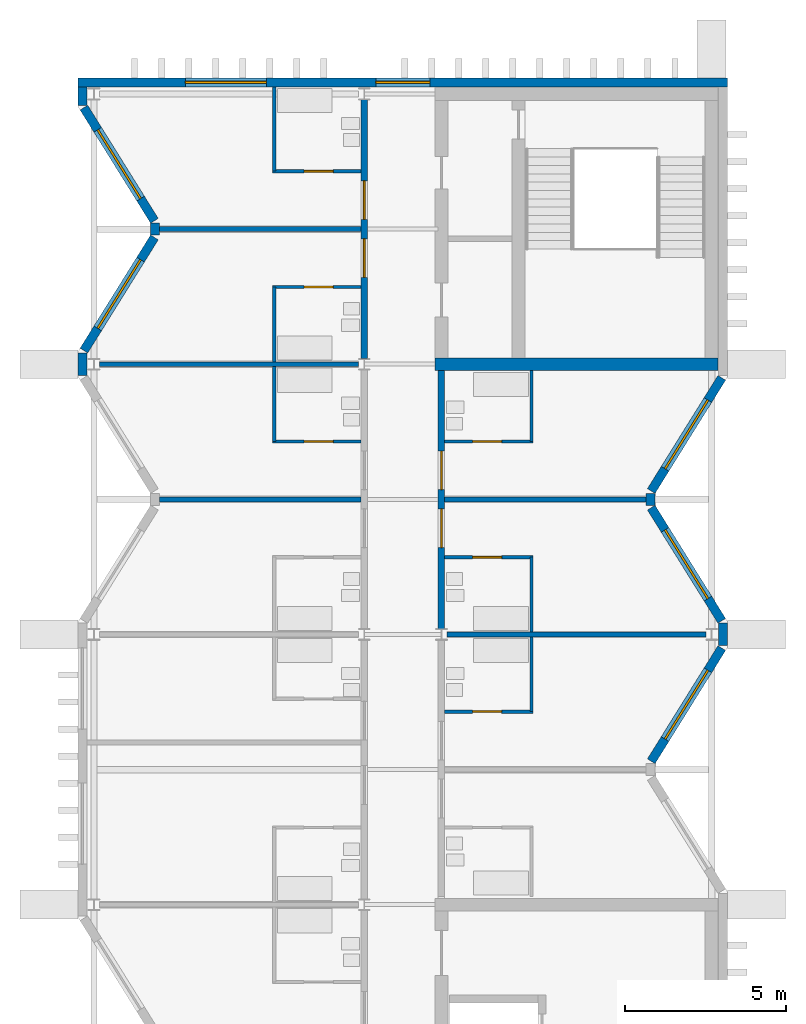
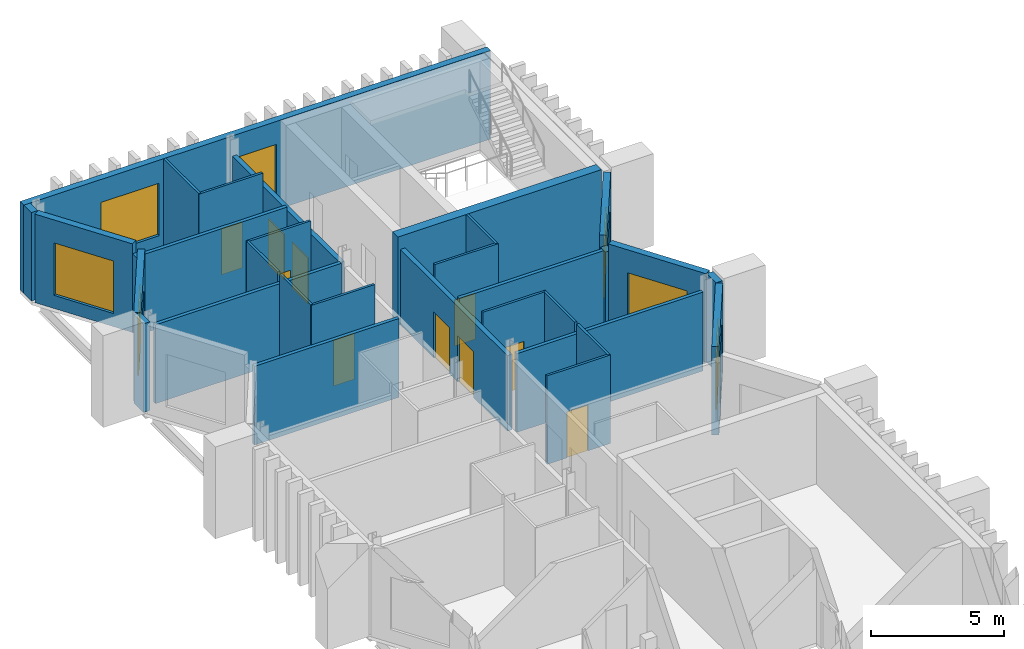
# One storey, part 8 of 11: 31 walls, 10 doors, 7 windows, 17 openings.
"""IFC4 building model written with IfcOpenShell, lengths in metres."""

import ifcopenshell
import ifcopenshell.guid

model = None  # the IFC model being written
_history = None  # IfcOwnerHistory: only IFC2X3 demands one
_inside = {}  # id of a spatial element -> (the spatial element, [elements in it])
_under = {}  # id of a project, library or spatial element -> (it, [spatial elements below it])
_declared = {}  # id of a project -> (the project, [libraries it declares])
_typed = {}  # id of a type object -> (the type object, [elements of that type])
_made_of = {}  # id of a material, layer set ... -> (it, [elements and type objects made of it])


def new_model(schema):
    """Start an empty IFC model of exactly this schema.

    Asked for "IFC4X3", IfcOpenShell would pick the latest addendum, in which some entities
    have other attributes; the version numbers below select the first issue.
    IFC2X3 requires an IfcOwnerHistory on every rooted entity: one is made here for all.
    """
    global model, _history
    if schema == "IFC4X3":
        model = ifcopenshell.file(schema_version=(4, 3, 0, 0))
    else:
        model = ifcopenshell.file(schema=schema)
    _inside.clear()
    _under.clear()
    _declared.clear()
    _typed.clear()
    _made_of.clear()
    _history = None
    if model.schema == "IFC2X3":
        org = make("IfcOrganization", Name="unknown")
        user = make(
            "IfcPersonAndOrganization",
            ThePerson=make("IfcPerson", FamilyName="unknown"),
            TheOrganization=org,
        )
        app = make(
            "IfcApplication",
            ApplicationDeveloper=org,
            Version="unknown",
            ApplicationFullName="unknown",
            ApplicationIdentifier="unknown",
        )
        _history = make(
            "IfcOwnerHistory",
            OwningUser=user,
            OwningApplication=app,
            ChangeAction="ADDED",
            CreationDate=0,
        )
    return model


def make(cls, **values):
    """One entity of the class cls with the attributes given. An attribute that is None is left unset."""
    return model.create_entity(
        cls, **{name: value for name, value in values.items() if value is not None}
    )


def rooted(cls, **values):
    """An entity with a GlobalId (a new one), such as an element, a storey or a relation."""
    return make(cls, GlobalId=ifcopenshell.guid.new(), OwnerHistory=_history, **values)


def si_unit(unit_type, name, prefix=None):
    """IfcSIUnit, for example si_unit("LENGTHUNIT", "METRE", prefix="MILLI")."""
    return make("IfcSIUnit", UnitType=unit_type, Prefix=prefix, Name=name)


def assignment(units):
    """IfcUnitAssignment: the units of a project."""
    return None if units is None else make("IfcUnitAssignment", Units=units)


def point(xyz):
    """IfcCartesianPoint."""
    return None if xyz is None else make("IfcCartesianPoint", Coordinates=xyz)


def direction(xyz):
    """IfcDirection."""
    return None if xyz is None else make("IfcDirection", DirectionRatios=xyz)


def frame(location, z_axis=None, x_axis=None):
    """IfcAxis2Placement3D, a coordinate frame: its origin and axes. An axis left out is left unset."""
    return make(
        "IfcAxis2Placement3D",
        Location=point(location),
        Axis=direction(z_axis),
        RefDirection=direction(x_axis),
    )


def frame_2d(location, x_axis=None):
    """IfcAxis2Placement2D, a coordinate frame in the plane: its origin and x axis."""
    return make(
        "IfcAxis2Placement2D", Location=point(location), RefDirection=direction(x_axis)
    )


def origin():
    """The frame at (0, 0, 0) with its axes left unset."""
    return frame((0.0, 0.0, 0.0))


def place(relative_to, where):
    """IfcLocalPlacement: puts the frame where relative to a parent placement (None: the world)."""
    return make(
        "IfcLocalPlacement", PlacementRelTo=relative_to, RelativePlacement=where
    )


def context(
    kind, dimensions, precision=None, world=None, true_north=None, identifier=None
):
    """IfcGeometricRepresentationContext, for example the 3D "Model" context."""
    return make(
        "IfcGeometricRepresentationContext",
        ContextIdentifier=identifier,
        ContextType=kind,
        CoordinateSpaceDimension=dimensions,
        Precision=precision,
        WorldCoordinateSystem=world,
        TrueNorth=true_north,
    )


def subcontext(parent, identifier, kind, view, scale=None):
    """IfcGeometricRepresentationSubContext, for example "Body" below "Model"."""
    return make(
        "IfcGeometricRepresentationSubContext",
        ContextIdentifier=identifier,
        ContextType=kind,
        ParentContext=parent,
        TargetScale=scale,
        TargetView=view,
    )


def project(units=None, contexts=None):
    """IfcProject with its units and contexts."""
    return rooted(
        "IfcProject",
        Name="project",
        RepresentationContexts=contexts,
        UnitsInContext=assignment(units),
    )


def spatial(cls, under=None, at=None, **own):
    """A site, building, storey or space (cls), placed at a placement, below another one or the project."""
    s = rooted(cls, ObjectPlacement=at, **own)
    if under is not None:
        _under.setdefault(under.id(), (under, []))[1].append(s)
    return s


def profile(cls, at=None, kind="AREA", **sizes):
    """A parametric profile (cls). Its sizes go by their IFC names, for example OverallWidth=200.0."""
    return make(cls, ProfileType=kind, Position=at, **sizes)


def rectangle(**sizes):
    """IfcRectangleProfileDef."""
    return profile("IfcRectangleProfileDef", **sizes)


def extrude(swept, where, along, depth):
    """IfcExtrudedAreaSolid: the profile swept, set in the frame where, extruded along a direction by depth."""
    return make(
        "IfcExtrudedAreaSolid",
        SweptArea=swept,
        Position=where,
        ExtrudedDirection=direction(along),
        Depth=depth,
    )


def shape(context_of_items, identifier, shape_type, items):
    """IfcShapeRepresentation: the items that make up one representation, for example the "Body"."""
    return make(
        "IfcShapeRepresentation",
        ContextOfItems=context_of_items,
        RepresentationIdentifier=identifier,
        RepresentationType=shape_type,
        Items=items,
    )


def material(Name=None, Category=None):
    """IfcMaterial."""
    return make("IfcMaterial", Name=Name, Category=Category)


def layer(
    of_material, thickness, ventilated=None, Name=None, Category=None, Priority=None
):
    """IfcMaterialLayer: one layer of a wall or slab, of a material (None: an air gap)."""
    return make(
        "IfcMaterialLayer",
        Material=of_material,
        LayerThickness=thickness,
        IsVentilated=ventilated,
        Name=Name,
        Category=Category,
        Priority=Priority,
    )


def layer_set(layers, Name=None):
    """IfcMaterialLayerSet."""
    return make("IfcMaterialLayerSet", MaterialLayers=layers, LayerSetName=Name)


def made_of(thing, what):
    """Note that an element or type object is made of a material, layer set ...; save() writes the relation."""
    if what is not None:
        _made_of.setdefault(what.id(), (what, []))[1].append(thing)
    return thing


def type_object(cls, material=None, **own):
    """A type object (cls), such as IfcWallType, which elements share."""
    return made_of(rooted(cls, **own), material)


def element(
    cls,
    number,
    at=None,
    inside=None,
    cuts=None,
    type_object=None,
    material=None,
    context=None,
    identifier="Body",
    shape_type=None,
    held_by="IfcProductDefinitionShape",
    body=None,
    shapes=None,
    **own,
):
    """One element of the class cls, such as IfcWall. Its Tag is "e" and its number.

    at: its placement. inside: the storey or other place that contains it. cuts: it is an
    opening in that element (IfcRelVoidsElement). A single representation is given by context,
    identifier, shape_type and body (its items); several are given by shapes. held_by: the class
    of the entity that holds the representations. save() writes the other relations.
    """
    e = rooted(cls, Tag="e%d" % number, ObjectPlacement=at, **own)
    if body is not None:
        shapes = [shape(context, identifier, shape_type, body)]
    if shapes is not None:
        e.Representation = make(held_by, Representations=shapes)
    if inside is not None:
        _inside.setdefault(inside.id(), (inside, []))[1].append(e)
    if cuts is not None:
        rooted(
            "IfcRelVoidsElement", RelatingBuildingElement=cuts, RelatedOpeningElement=e
        )
    if type_object is not None:
        _typed.setdefault(type_object.id(), (type_object, []))[1].append(e)
    return made_of(e, material)


def fill(opening, filler):
    """IfcRelFillsElement: the door or window that sits in an opening."""
    return rooted(
        "IfcRelFillsElement",
        RelatingOpeningElement=opening,
        RelatedBuildingElement=filler,
    )


def aggregate(whole, parts):
    """IfcRelAggregates: a whole, such as a stair, and the parts it consists of."""
    return rooted("IfcRelAggregates", RelatingObject=whole, RelatedObjects=parts)


def save(model, path):
    """Write the relations noted so far, then the file.

    IfcRelAggregates (storeys below a building ...), IfcRelContainedInSpatialStructure (elements
    in a storey), IfcRelDefinesByType, IfcRelAssociatesMaterial and IfcRelDeclares: one each for
    every whole, place, type object, material and project.
    """
    for whole, parts in _under.values():
        aggregate(whole, parts)
    for where, things in _inside.values():
        rooted(
            "IfcRelContainedInSpatialStructure",
            RelatedElements=things,
            RelatingStructure=where,
        )
    for kind, things in _typed.values():
        rooted("IfcRelDefinesByType", RelatedObjects=things, RelatingType=kind)
    for what, things in _made_of.values():
        rooted("IfcRelAssociatesMaterial", RelatedObjects=things, RelatingMaterial=what)
    for by, libraries in _declared.values():
        rooted("IfcRelDeclares", RelatingContext=by, RelatedDefinitions=libraries)
    model.write(path)


model = new_model("IFC4")

# Units and contexts
model_context = context("Model", 3, precision=1e-05, world=origin(), true_north=direction((0.0, 1.0)))
body_context = subcontext(model_context, "Body", "Model", "MODEL_VIEW")
ifc_project = project(units=[si_unit("LENGTHUNIT", "METRE"), si_unit("AREAUNIT", "SQUARE_METRE"), si_unit("VOLUMEUNIT", "CUBIC_METRE"), si_unit("PLANEANGLEUNIT", "RADIAN"), si_unit("MASSUNIT", "GRAM", prefix="KILO")], contexts=[model_context])

# Site, building, storey
site_placement = place(None, origin())
site = spatial("IfcSite", under=ifc_project, at=site_placement, CompositionType="ELEMENT")
building_placement = place(site_placement, origin())
building = spatial("IfcBuilding", under=site, at=building_placement, Name="Cresset Court Congress Hotel", CompositionType="ELEMENT")
storey_placement = place(building_placement, frame((0.0, 0.0, 43.800048828125)))
storey = spatial("IfcBuildingStorey", under=building, at=storey_placement, Name="L10", CompositionType="ELEMENT", Elevation=43.800048828125)

# Wall, openings, doors
ifc_material_1 = material(Name="Gypsum board partition")
ifc_layer_1 = layer(ifc_material_1, 0.199951171875)
ifc_layer_set_1 = layer_set([ifc_layer_1], Name="Corridor wall 200")
wall_type_1 = type_object("IfcWallType", Name="Corridor wall 200", PredefinedType="PARTITIONING", material=ifc_layer_set_1)
wall_1_placement = place(storey_placement, frame((165.60009765625, 58.97509765625, 0.0), z_axis=(0.0, 0.0, 1.0), x_axis=(0.0, 1.0, 0.0)))
wall_1 = element("IfcWall", 1, at=wall_1_placement, inside=storey, type_object=wall_type_1, Name="A.wl.L10.077", PredefinedType="PARTITIONING", context=body_context, shape_type="SweptSolid", body=[
    extrude(rectangle(XDim=8.0498046875, YDim=0.199951171875, at=frame_2d((4.02490234375, 0.0))), origin(), (0.0, 0.0, 1.0), 3.449951171875),
])
opening_1_placement = place(wall_1_placement, frame((2.52490234375, 0.0, 0.0)))
opening_1 = element("IfcOpeningElement", 2, at=opening_1_placement, cuts=wall_1, Name="Opening DA-10-30", PredefinedType="OPENING", context=body_context, shape_type="SweptSolid", body=[
    extrude(rectangle(XDim=1.199951171875, YDim=2.10009765625, at=frame_2d((0.60009765625, 1.050048828125))), frame((0.0, 0.10986328125, 0.0), z_axis=(0.0, -1.0, 0.0), x_axis=(1.0, 0.0, 0.0)), (0.0, 0.0, 1.0), 0.219970703125),
])
opening_2_placement = place(wall_1_placement, frame((4.324951171875, 0.0, 0.0)))
opening_2 = element("IfcOpeningElement", 3, at=opening_2_placement, cuts=wall_1, Name="Opening DA-10-32", PredefinedType="OPENING", context=body_context, shape_type="SweptSolid", body=[
    extrude(rectangle(XDim=1.199951171875, YDim=2.10009765625, at=frame_2d((0.60009765625, 1.050048828125))), frame((0.0, 0.10986328125, 0.0), z_axis=(0.0, -1.0, 0.0), x_axis=(1.0, 0.0, 0.0)), (0.0, 0.0, 1.0), 0.219970703125),
])
ifc_material_2 = material(Name="timber", Category="wood")
door_type_1 = type_object("IfcDoorType", Name="Guest-room entry door 1200x2100 FD30S", OperationType="SINGLE_SWING_LEFT", PredefinedType="DOOR", material=ifc_material_2)
door_1_placement = place(opening_1_placement, origin())
door_1 = element("IfcDoor", 4, at=door_1_placement, inside=storey, type_object=door_type_1, Name="Door DA-10-30", OperationType="SINGLE_SWING_RIGHT", OverallHeight=2.10009765625, OverallWidth=1.199951171875, PredefinedType="DOOR", context=body_context, shape_type="SweptSolid", body=[
    extrude(rectangle(XDim=1.199951171875, YDim=2.10009765625, at=frame_2d((0.60009765625, 1.050048828125))), frame((0.0, 0.02490234375, 0.0), z_axis=(0.0, -1.0, 0.0), x_axis=(1.0, 0.0, 0.0)), (0.0, 0.0, 1.0), 0.050048828125),
])
fill(opening_1, door_1)
door_2_placement = place(opening_2_placement, origin())
door_2 = element("IfcDoor", 5, at=door_2_placement, inside=storey, type_object=door_type_1, Name="Door DA-10-32", OperationType="SINGLE_SWING_LEFT", OverallHeight=2.10009765625, OverallWidth=1.199951171875, PredefinedType="DOOR", context=body_context, shape_type="SweptSolid", body=[
    extrude(rectangle(XDim=1.199951171875, YDim=2.10009765625, at=frame_2d((0.60009765625, 1.050048828125))), frame((0.0, 0.02490234375, 0.0), z_axis=(0.0, -1.0, 0.0), x_axis=(1.0, 0.0, 0.0)), (0.0, 0.0, 1.0), 0.050048828125),
])
fill(opening_2, door_2)

wall_2_placement = place(storey_placement, frame((168.0, 50.574951171875, 0.0), z_axis=(0.0, 0.0, 1.0), x_axis=(0.0, 1.0, 0.0)))
wall_2 = element("IfcWall", 6, at=wall_2_placement, inside=storey, type_object=wall_type_1, Name="A.wl.L10.081", PredefinedType="PARTITIONING", context=body_context, shape_type="SweptSolid", body=[
    extrude(rectangle(XDim=8.025146484375, YDim=0.199951171875, at=frame_2d((4.0126953125, 0.0))), origin(), (0.0, 0.0, 1.0), 3.449951171875),
])
opening_3_placement = place(wall_2_placement, frame((2.52490234375, 0.0, 0.0)))
opening_3 = element("IfcOpeningElement", 7, at=opening_3_placement, cuts=wall_2, Name="Opening DA-10-46", PredefinedType="OPENING", context=body_context, shape_type="SweptSolid", body=[
    extrude(rectangle(XDim=1.199951171875, YDim=2.10009765625, at=frame_2d((0.60009765625, 1.050048828125))), frame((0.0, 0.10986328125, 0.0), z_axis=(0.0, -1.0, 0.0), x_axis=(1.0, 0.0, 0.0)), (0.0, 0.0, 1.0), 0.219970703125),
])
opening_4_placement = place(wall_2_placement, frame((4.324951171875, 0.0, 0.0)))
opening_4 = element("IfcOpeningElement", 8, at=opening_4_placement, cuts=wall_2, Name="Opening DA-10-48", PredefinedType="OPENING", context=body_context, shape_type="SweptSolid", body=[
    extrude(rectangle(XDim=1.199951171875, YDim=2.10009765625, at=frame_2d((0.60009765625, 1.050048828125))), frame((0.0, 0.10986328125, 0.0), z_axis=(0.0, -1.0, 0.0), x_axis=(1.0, 0.0, 0.0)), (0.0, 0.0, 1.0), 0.219970703125),
])
door_3_placement = place(opening_3_placement, origin())
door_3 = element("IfcDoor", 9, at=door_3_placement, inside=storey, type_object=door_type_1, Name="Door DA-10-46", OperationType="SINGLE_SWING_RIGHT", OverallHeight=2.10009765625, OverallWidth=1.199951171875, PredefinedType="DOOR", context=body_context, shape_type="SweptSolid", body=[
    extrude(rectangle(XDim=1.199951171875, YDim=2.10009765625, at=frame_2d((0.60009765625, 1.050048828125))), frame((0.0, 0.02490234375, 0.0), z_axis=(0.0, -1.0, 0.0), x_axis=(1.0, 0.0, 0.0)), (0.0, 0.0, 1.0), 0.050048828125),
])
fill(opening_3, door_3)
door_4_placement = place(opening_4_placement, origin())
door_4 = element("IfcDoor", 10, at=door_4_placement, inside=storey, type_object=door_type_1, Name="Door DA-10-48", OperationType="SINGLE_SWING_LEFT", OverallHeight=2.10009765625, OverallWidth=1.199951171875, PredefinedType="DOOR", context=body_context, shape_type="SweptSolid", body=[
    extrude(rectangle(XDim=1.199951171875, YDim=2.10009765625, at=frame_2d((0.60009765625, 1.050048828125))), frame((0.0, 0.02490234375, 0.0), z_axis=(0.0, -1.0, 0.0), x_axis=(1.0, 0.0, 0.0)), (0.0, 0.0, 1.0), 0.050048828125),
])
fill(opening_4, door_4)

# Wall
ifc_material_3 = material(Name="Gypsum board partition")
ifc_layer_2 = layer(ifc_material_3, 0.10009765625)
ifc_layer_set_2 = layer_set([ifc_layer_2], Name="En-suite wall 100")
wall_type_2 = type_object("IfcWallType", Name="En-suite wall 100", PredefinedType="PARTITIONING", material=ifc_layer_set_2)
wall_3_placement = place(storey_placement, frame((162.800048828125, 56.39990234375, 0.0), z_axis=(0.0, 0.0, 1.0), x_axis=(0.0, 1.0, 0.0)))
element("IfcWall", 11, at=wall_3_placement, inside=storey, type_object=wall_type_2, Name="A.wl.L10.027", PredefinedType="PARTITIONING", context=body_context, shape_type="SweptSolid", body=[
    extrude(rectangle(XDim=2.3251953125, YDim=0.10009765625, at=frame_2d((1.16259765625, 0.0))), origin(), (0.0, 0.0, 1.0), 4.050048828125),
])

# Wall, opening, door
wall_4_placement = place(storey_placement, frame((162.75, 56.39990234375, 0.0), z_axis=(0.0, 0.0, 1.0), x_axis=(1.0, 0.0, 0.0)))
wall_4 = element("IfcWall", 12, at=wall_4_placement, inside=storey, type_object=wall_type_2, Name="A.wl.L10.028", PredefinedType="PARTITIONING", context=body_context, shape_type="SweptSolid", body=[
    extrude(rectangle(XDim=2.75, YDim=0.10009765625, at=frame_2d((1.375, 0.0))), origin(), (0.0, 0.0, 1.0), 4.050048828125),
])
opening_5_placement = place(wall_4_placement, frame((0.97998046875, 0.0, 0.0)))
opening_5 = element("IfcOpeningElement", 13, at=opening_5_placement, cuts=wall_4, Name="Opening DA-10-27", PredefinedType="OPENING", context=body_context, shape_type="SweptSolid", body=[
    extrude(rectangle(XDim=0.89990234375, YDim=2.10009765625, at=frame_2d((0.449951171875, 1.050048828125))), frame((0.0, 0.06005859375, 0.0), z_axis=(0.0, -1.0, 0.0), x_axis=(1.0, 0.0, 0.0)), (0.0, 0.0, 1.0), 0.1201171875),
])
ifc_material_4 = material(Name="timber", Category="wood")
door_type_2 = type_object("IfcDoorType", Name="En-suite door 900x2100", OperationType="SINGLE_SWING_LEFT", PredefinedType="DOOR", material=ifc_material_4)
door_5_placement = place(opening_5_placement, origin())
door_5 = element("IfcDoor", 14, at=door_5_placement, inside=storey, type_object=door_type_2, Name="Door DA-10-27", OperationType="SINGLE_SWING_LEFT", OverallHeight=2.10009765625, OverallWidth=0.89990234375, PredefinedType="DOOR", context=body_context, shape_type="SweptSolid", body=[
    extrude(rectangle(XDim=0.89990234375, YDim=2.10009765625, at=frame_2d((0.449951171875, 1.050048828125))), frame((0.0, 0.02490234375, 0.0), z_axis=(0.0, -1.0, 0.0), x_axis=(1.0, 0.0, 0.0)), (0.0, 0.0, 1.0), 0.050048828125),
])
fill(opening_5, door_5)

# Wall
wall_5_placement = place(storey_placement, frame((162.800048828125, 58.875, 0.0), z_axis=(0.0, 0.0, 1.0), x_axis=(0.0, 1.0, 0.0)))
element("IfcWall", 15, at=wall_5_placement, inside=storey, type_object=wall_type_2, Name="A.wl.L10.029", PredefinedType="PARTITIONING", context=body_context, shape_type="SweptSolid", body=[
    extrude(rectangle(XDim=2.324951171875, YDim=0.10009765625, at=frame_2d((1.16259765625, 0.0))), origin(), (0.0, 0.0, 1.0), 4.050048828125),
])

# Wall, opening, door
wall_6_placement = place(storey_placement, frame((162.75, 61.199951171875, 0.0), z_axis=(0.0, 0.0, 1.0), x_axis=(1.0, 0.0, 0.0)))
wall_6 = element("IfcWall", 16, at=wall_6_placement, inside=storey, type_object=wall_type_2, Name="A.wl.L10.030", PredefinedType="PARTITIONING", context=body_context, shape_type="SweptSolid", body=[
    extrude(rectangle(XDim=2.75, YDim=0.10009765625, at=frame_2d((1.375, 0.0))), origin(), (0.0, 0.0, 1.0), 4.050048828125),
])
opening_6_placement = place(wall_6_placement, frame((0.97998046875, 0.0, 0.0)))
opening_6 = element("IfcOpeningElement", 17, at=opening_6_placement, cuts=wall_6, Name="Opening DA-10-29", PredefinedType="OPENING", context=body_context, shape_type="SweptSolid", body=[
    extrude(rectangle(XDim=0.89990234375, YDim=2.10009765625, at=frame_2d((0.449951171875, 1.050048828125))), frame((0.0, 0.06005859375, 0.0), z_axis=(0.0, -1.0, 0.0), x_axis=(1.0, 0.0, 0.0)), (0.0, 0.0, 1.0), 0.1201171875),
])
door_6_placement = place(opening_6_placement, origin())
door_6 = element("IfcDoor", 18, at=door_6_placement, inside=storey, type_object=door_type_2, Name="Door DA-10-29", OperationType="SINGLE_SWING_RIGHT", OverallHeight=2.10009765625, OverallWidth=0.89990234375, PredefinedType="DOOR", context=body_context, shape_type="SweptSolid", body=[
    extrude(rectangle(XDim=0.89990234375, YDim=2.10009765625, at=frame_2d((0.449951171875, 1.050048828125))), frame((0.0, 0.02490234375, 0.0), z_axis=(0.0, -1.0, 0.0), x_axis=(1.0, 0.0, 0.0)), (0.0, 0.0, 1.0), 0.050048828125),
])
fill(opening_6, door_6)

# Wall
wall_7_placement = place(storey_placement, frame((162.800048828125, 64.800048828125, 0.0), z_axis=(0.0, 0.0, 1.0), x_axis=(0.0, 1.0, 0.0)))
element("IfcWall", 19, at=wall_7_placement, inside=storey, type_object=wall_type_2, Name="A.wl.L10.031", PredefinedType="PARTITIONING", context=body_context, shape_type="SweptSolid", body=[
    extrude(rectangle(XDim=2.619873046875, YDim=0.10009765625, at=frame_2d((1.31005859375, 0.0))), origin(), (0.0, 0.0, 1.0), 4.050048828125),
])

# Wall, opening, door
wall_8_placement = place(storey_placement, frame((162.75, 64.800048828125, 0.0), z_axis=(0.0, 0.0, 1.0), x_axis=(1.0, 0.0, 0.0)))
wall_8 = element("IfcWall", 20, at=wall_8_placement, inside=storey, type_object=wall_type_2, Name="A.wl.L10.032", PredefinedType="PARTITIONING", context=body_context, shape_type="SweptSolid", body=[
    extrude(rectangle(XDim=2.75, YDim=0.10009765625, at=frame_2d((1.375, 0.0))), origin(), (0.0, 0.0, 1.0), 4.050048828125),
])
opening_7_placement = place(wall_8_placement, frame((0.97998046875, 0.0, 0.0)))
opening_7 = element("IfcOpeningElement", 21, at=opening_7_placement, cuts=wall_8, Name="Opening DA-10-31", PredefinedType="OPENING", context=body_context, shape_type="SweptSolid", body=[
    extrude(rectangle(XDim=0.89990234375, YDim=2.10009765625, at=frame_2d((0.449951171875, 1.050048828125))), frame((0.0, 0.06005859375, 0.0), z_axis=(0.0, -1.0, 0.0), x_axis=(1.0, 0.0, 0.0)), (0.0, 0.0, 1.0), 0.1201171875),
])
door_7_placement = place(opening_7_placement, origin())
door_7 = element("IfcDoor", 22, at=door_7_placement, inside=storey, type_object=door_type_2, Name="Door DA-10-31", OperationType="SINGLE_SWING_LEFT", OverallHeight=2.10009765625, OverallWidth=0.89990234375, PredefinedType="DOOR", context=body_context, shape_type="SweptSolid", body=[
    extrude(rectangle(XDim=0.89990234375, YDim=2.10009765625, at=frame_2d((0.449951171875, 1.050048828125))), frame((0.0, 0.02490234375, 0.0), z_axis=(0.0, -1.0, 0.0), x_axis=(1.0, 0.0, 0.0)), (0.0, 0.0, 1.0), 0.050048828125),
])
fill(opening_7, door_7)

# Wall
wall_9_placement = place(storey_placement, frame((170.800048828125, 48.0, 0.0), z_axis=(0.0, 0.0, 1.0), x_axis=(0.0, 1.0, 0.0)))
element("IfcWall", 23, at=wall_9_placement, inside=storey, type_object=wall_type_2, Name="A.wl.L10.043", PredefinedType="PARTITIONING", context=body_context, shape_type="SweptSolid", body=[
    extrude(rectangle(XDim=2.324951171875, YDim=0.10009765625, at=frame_2d((1.16259765625, 0.0))), origin(), (0.0, 0.0, 1.0), 4.050048828125),
])

# Wall, opening, door
wall_10_placement = place(storey_placement, frame((170.85009765625, 48.0, 0.0), z_axis=(0.0, 0.0, 1.0), x_axis=(-1.0, 0.0, 0.0)))
wall_10 = element("IfcWall", 24, at=wall_10_placement, inside=storey, type_object=wall_type_2, Name="A.wl.L10.044", PredefinedType="PARTITIONING", context=body_context, shape_type="SweptSolid", body=[
    extrude(rectangle(XDim=2.75, YDim=0.10009765625, at=frame_2d((1.375, 0.0))), origin(), (0.0, 0.0, 1.0), 4.050048828125),
])
opening_8_placement = place(wall_10_placement, frame((0.97998046875, 0.0, 0.0)))
opening_8 = element("IfcOpeningElement", 25, at=opening_8_placement, cuts=wall_10, Name="Opening DA-10-43", PredefinedType="OPENING", context=body_context, shape_type="SweptSolid", body=[
    extrude(rectangle(XDim=0.89990234375, YDim=2.10009765625, at=frame_2d((0.449951171875, 1.050048828125))), frame((0.0, 0.06005859375, 0.0), z_axis=(0.0, -1.0, 0.0), x_axis=(1.0, 0.0, 0.0)), (0.0, 0.0, 1.0), 0.1201171875),
])
door_8_placement = place(opening_8_placement, origin())
door_8 = element("IfcDoor", 26, at=door_8_placement, inside=storey, type_object=door_type_2, Name="Door DA-10-43", OperationType="SINGLE_SWING_LEFT", OverallHeight=2.10009765625, OverallWidth=0.89990234375, PredefinedType="DOOR", context=body_context, shape_type="SweptSolid", body=[
    extrude(rectangle(XDim=0.89990234375, YDim=2.10009765625, at=frame_2d((0.449951171875, 1.050048828125))), frame((0.0, 0.02490234375, 0.0), z_axis=(0.0, -1.0, 0.0), x_axis=(1.0, 0.0, 0.0)), (0.0, 0.0, 1.0), 0.050048828125),
])
fill(opening_8, door_8)

# Wall
wall_11_placement = place(storey_placement, frame((170.800048828125, 50.47509765625, 0.0), z_axis=(0.0, 0.0, 1.0), x_axis=(0.0, 1.0, 0.0)))
element("IfcWall", 27, at=wall_11_placement, inside=storey, type_object=wall_type_2, Name="A.wl.L10.045", PredefinedType="PARTITIONING", context=body_context, shape_type="SweptSolid", body=[
    extrude(rectangle(XDim=2.324951171875, YDim=0.10009765625, at=frame_2d((1.16259765625, 0.0))), origin(), (0.0, 0.0, 1.0), 4.050048828125),
])

# Wall, opening, door
wall_12_placement = place(storey_placement, frame((170.85009765625, 52.800048828125, 0.0), z_axis=(0.0, 0.0, 1.0), x_axis=(-1.0, 0.0, 0.0)))
wall_12 = element("IfcWall", 28, at=wall_12_placement, inside=storey, type_object=wall_type_2, Name="A.wl.L10.046", PredefinedType="PARTITIONING", context=body_context, shape_type="SweptSolid", body=[
    extrude(rectangle(XDim=2.75, YDim=0.10009765625, at=frame_2d((1.375, 0.0))), origin(), (0.0, 0.0, 1.0), 4.050048828125),
])
opening_9_placement = place(wall_12_placement, frame((0.97998046875, 0.0, 0.0)))
opening_9 = element("IfcOpeningElement", 29, at=opening_9_placement, cuts=wall_12, Name="Opening DA-10-45", PredefinedType="OPENING", context=body_context, shape_type="SweptSolid", body=[
    extrude(rectangle(XDim=0.89990234375, YDim=2.10009765625, at=frame_2d((0.449951171875, 1.050048828125))), frame((0.0, 0.06005859375, 0.0), z_axis=(0.0, -1.0, 0.0), x_axis=(1.0, 0.0, 0.0)), (0.0, 0.0, 1.0), 0.1201171875),
])
door_9_placement = place(opening_9_placement, origin())
door_9 = element("IfcDoor", 30, at=door_9_placement, inside=storey, type_object=door_type_2, Name="Door DA-10-45", OperationType="SINGLE_SWING_RIGHT", OverallHeight=2.10009765625, OverallWidth=0.89990234375, PredefinedType="DOOR", context=body_context, shape_type="SweptSolid", body=[
    extrude(rectangle(XDim=0.89990234375, YDim=2.10009765625, at=frame_2d((0.449951171875, 1.050048828125))), frame((0.0, 0.02490234375, 0.0), z_axis=(0.0, -1.0, 0.0), x_axis=(1.0, 0.0, 0.0)), (0.0, 0.0, 1.0), 0.050048828125),
])
fill(opening_9, door_9)

# Wall
wall_13_placement = place(storey_placement, frame((170.800048828125, 56.39990234375, 0.0), z_axis=(0.0, 0.0, 1.0), x_axis=(0.0, 1.0, 0.0)))
element("IfcWall", 31, at=wall_13_placement, inside=storey, type_object=wall_type_2, Name="A.wl.L10.047", PredefinedType="PARTITIONING", context=body_context, shape_type="SweptSolid", body=[
    extrude(rectangle(XDim=2.2001953125, YDim=0.10009765625, at=frame_2d((1.10009765625, 0.0))), origin(), (0.0, 0.0, 1.0), 4.050048828125),
])

# Wall, opening, door
wall_14_placement = place(storey_placement, frame((170.85009765625, 56.39990234375, 0.0), z_axis=(0.0, 0.0, 1.0), x_axis=(-1.0, 0.0, 0.0)))
wall_14 = element("IfcWall", 32, at=wall_14_placement, inside=storey, type_object=wall_type_2, Name="A.wl.L10.048", PredefinedType="PARTITIONING", context=body_context, shape_type="SweptSolid", body=[
    extrude(rectangle(XDim=2.75, YDim=0.10009765625, at=frame_2d((1.375, 0.0))), origin(), (0.0, 0.0, 1.0), 4.050048828125),
])
opening_10_placement = place(wall_14_placement, frame((0.97998046875, 0.0, 0.0)))
opening_10 = element("IfcOpeningElement", 33, at=opening_10_placement, cuts=wall_14, Name="Opening DA-10-47", PredefinedType="OPENING", context=body_context, shape_type="SweptSolid", body=[
    extrude(rectangle(XDim=0.89990234375, YDim=2.10009765625, at=frame_2d((0.449951171875, 1.050048828125))), frame((0.0, 0.06005859375, 0.0), z_axis=(0.0, -1.0, 0.0), x_axis=(1.0, 0.0, 0.0)), (0.0, 0.0, 1.0), 0.1201171875),
])
door_10_placement = place(opening_10_placement, origin())
door_10 = element("IfcDoor", 34, at=door_10_placement, inside=storey, type_object=door_type_2, Name="Door DA-10-47", OperationType="SINGLE_SWING_LEFT", OverallHeight=2.10009765625, OverallWidth=0.89990234375, PredefinedType="DOOR", context=body_context, shape_type="SweptSolid", body=[
    extrude(rectangle(XDim=0.89990234375, YDim=2.10009765625, at=frame_2d((0.449951171875, 1.050048828125))), frame((0.0, 0.02490234375, 0.0), z_axis=(0.0, -1.0, 0.0), x_axis=(1.0, 0.0, 0.0)), (0.0, 0.0, 1.0), 0.050048828125),
])
fill(opening_10, door_10)

# Wall
ifc_material_5 = material(Name="Precast concrete C50", Category="concrete")
ifc_layer_3 = layer(ifc_material_5, 0.280029296875)
ifc_layer_set_3 = layer_set([ifc_layer_3], Name="External wall 280")
wall_type_3 = type_object("IfcWallType", Name="External wall 280", PredefinedType="SOLIDWALL", material=ifc_layer_set_3)
wall_15_placement = place(storey_placement, frame((156.840087890625, 58.449951171875, 0.0), z_axis=(0.0, 0.0, 1.0), x_axis=(0.0, 1.0, 0.0)))
element("IfcWall", 35, at=wall_15_placement, inside=storey, type_object=wall_type_3, Name="A.ew.L10.W.5", PredefinedType="SOLIDWALL", context=body_context, shape_type="SweptSolid", body=[
    extrude(rectangle(XDim=0.699951171875, YDim=0.280029296875, at=frame_2d((0.35009765625, 0.0))), origin(), (0.0, 0.0, 1.0), 4.050048828125),
])

# Wall, opening, window
wall_16_placement = place(storey_placement, frame((156.88623046875, 59.22412109375, 0.0), z_axis=(0.0, 0.0, 1.0), x_axis=(0.529018946142, 0.848610013271, 0.0)))
wall_16 = element("IfcWall", 36, at=wall_16_placement, inside=storey, type_object=wall_type_3, Name="A.ew.L10.Wn.7.0", PredefinedType="SOLIDWALL", context=body_context, shape_type="SweptSolid", body=[
    extrude(rectangle(XDim=4.144287109375, YDim=0.280029296875, at=frame_2d((2.072265625, 0.0))), origin(), (0.0, 0.0, 1.0), 4.050048828125),
])
opening_11_placement = place(wall_16_placement, frame((0.812255859375, 0.0, 0.60009765625)))
opening_11 = element("IfcOpeningElement", 37, at=opening_11_placement, cuts=wall_16, Name="Opening NA-10-15", PredefinedType="OPENING", context=body_context, shape_type="SweptSolid", body=[
    extrude(rectangle(XDim=2.52001953125, YDim=2.39990234375, at=frame_2d((1.260009765625, 1.199951171875))), frame((0.0, 0.14990234375, 0.0), z_axis=(0.0, -1.0, 0.0), x_axis=(1.0, 0.0, 0.0)), (0.0, 0.0, 1.0), 0.300048828125),
])
ifc_material_6 = material(Name="Aluminium and glass", Category="aluminium")
window_type_1 = type_object("IfcWindowType", Name="Window 2520x2400", PartitioningType="SINGLE_PANEL", PredefinedType="WINDOW", material=ifc_material_6)
window_1_placement = place(opening_11_placement, origin())
window_1 = element("IfcWindow", 38, at=window_1_placement, inside=storey, type_object=window_type_1, Name="Window NA-10-15", OverallHeight=2.39990234375, OverallWidth=2.52001953125, PartitioningType="SINGLE_PANEL", PredefinedType="WINDOW", context=body_context, shape_type="SweptSolid", body=[
    extrude(rectangle(XDim=2.52001953125, YDim=2.39990234375, at=frame_2d((1.260009765625, 1.199951171875))), frame((0.0, 0.030029296875, 0.0), z_axis=(0.0, -1.0, 0.0), x_axis=(1.0, 0.0, 0.0)), (0.0, 0.0, 1.0), 0.06005859375),
])
fill(opening_11, window_1)

wall_17_placement = place(storey_placement, frame((159.07861328125, 63.259033203125, 0.0), z_axis=(0.0, 0.0, 1.0), x_axis=(-0.529018946142, 0.848610013271, 0.0)))
wall_17 = element("IfcWall", 39, at=wall_17_placement, inside=storey, type_object=wall_type_3, Name="A.ew.L10.Wn.7.1", PredefinedType="SOLIDWALL", context=body_context, shape_type="SweptSolid", body=[
    extrude(rectangle(XDim=4.144287109375, YDim=0.280029296875, at=frame_2d((2.072265625, 0.0))), origin(), (0.0, 0.0, 1.0), 4.050048828125),
])
opening_12_placement = place(wall_17_placement, frame((0.812255859375, 0.0, 0.60009765625)))
opening_12 = element("IfcOpeningElement", 40, at=opening_12_placement, cuts=wall_17, Name="Opening NA-10-16", PredefinedType="OPENING", context=body_context, shape_type="SweptSolid", body=[
    extrude(rectangle(XDim=2.52001953125, YDim=2.39990234375, at=frame_2d((1.260009765625, 1.199951171875))), frame((0.0, 0.14990234375, 0.0), z_axis=(0.0, -1.0, 0.0), x_axis=(1.0, 0.0, 0.0)), (0.0, 0.0, 1.0), 0.300048828125),
])
window_2_placement = place(opening_12_placement, origin())
window_2 = element("IfcWindow", 41, at=window_2_placement, inside=storey, type_object=window_type_1, Name="Window NA-10-16", OverallHeight=2.39990234375, OverallWidth=2.52001953125, PartitioningType="SINGLE_PANEL", PredefinedType="WINDOW", context=body_context, shape_type="SweptSolid", body=[
    extrude(rectangle(XDim=2.52001953125, YDim=2.39990234375, at=frame_2d((1.260009765625, 1.199951171875))), frame((0.0, 0.030029296875, 0.0), z_axis=(0.0, -1.0, 0.0), x_axis=(1.0, 0.0, 0.0)), (0.0, 0.0, 1.0), 0.06005859375),
])
fill(opening_12, window_2)

# Walls
wall_18_placement = place(storey_placement, frame((159.099609375, 62.815185546875, 0.0), z_axis=(0.0, 0.0, 1.0), x_axis=(0.0, 1.0, 0.0)))
element("IfcWall", 42, at=wall_18_placement, inside=storey, type_object=wall_type_3, Name="A.ew.L10.Wn.7.2", PredefinedType="SOLIDWALL", context=body_context, shape_type="SweptSolid", body=[
    extrude(rectangle(XDim=0.36962890625, YDim=0.280029296875, at=frame_2d((0.184814453125, 0.0))), origin(), (0.0, 0.0, 1.0), 3.60400390625),
])
wall_19_placement = place(storey_placement, frame((156.840087890625, 66.85009765625, 0.0), z_axis=(0.0, 0.0, 1.0), x_axis=(0.0, 1.0, 0.0)))
element("IfcWall", 43, at=wall_19_placement, inside=storey, type_object=wall_type_3, Name="A.ew.L10.W.6", PredefinedType="SOLIDWALL", context=body_context, shape_type="SweptSolid", body=[
    extrude(rectangle(XDim=0.56982421875, YDim=0.280029296875, at=frame_2d((0.284912109375, 0.0))), origin(), (0.0, 0.0, 1.0), 4.050048828125),
])

# Wall, opening, window
wall_20_placement = place(storey_placement, frame((174.521484375, 46.458984375, 0.0), z_axis=(0.0, 0.0, 1.0), x_axis=(0.529018946142, 0.848610013271, 0.0)))
wall_20 = element("IfcWall", 44, at=wall_20_placement, inside=storey, type_object=wall_type_3, Name="A.ew.L10.En.5.1", PredefinedType="SOLIDWALL", context=body_context, shape_type="SweptSolid", body=[
    extrude(rectangle(XDim=4.144287109375, YDim=0.280029296875, at=frame_2d((2.072265625, 0.0))), origin(), (0.0, 0.0, 1.0), 4.050048828125),
])
opening_13_placement = place(wall_20_placement, frame((0.81201171875, 0.0, 0.60009765625)))
opening_13 = element("IfcOpeningElement", 45, at=opening_13_placement, cuts=wall_20, Name="Opening NA-10-22", PredefinedType="OPENING", context=body_context, shape_type="SweptSolid", body=[
    extrude(rectangle(XDim=2.52001953125, YDim=2.39990234375, at=frame_2d((1.260009765625, 1.199951171875))), frame((0.0, 0.14990234375, 0.0), z_axis=(0.0, -1.0, 0.0), x_axis=(1.0, 0.0, 0.0)), (0.0, 0.0, 1.0), 0.300048828125),
])
window_3_placement = place(opening_13_placement, origin())
window_3 = element("IfcWindow", 46, at=window_3_placement, inside=storey, type_object=window_type_1, Name="Window NA-10-22", OverallHeight=2.39990234375, OverallWidth=2.52001953125, PartitioningType="SINGLE_PANEL", PredefinedType="WINDOW", context=body_context, shape_type="SweptSolid", body=[
    extrude(rectangle(XDim=2.52001953125, YDim=2.39990234375, at=frame_2d((1.260009765625, 1.199951171875))), frame((0.0, 0.030029296875, 0.0), z_axis=(0.0, -1.0, 0.0), x_axis=(1.0, 0.0, 0.0)), (0.0, 0.0, 1.0), 0.06005859375),
])
fill(opening_13, window_3)

# Wall
wall_21_placement = place(storey_placement, frame((176.760009765625, 50.050048828125, 0.0), z_axis=(0.0, 0.0, 1.0), x_axis=(0.0, 1.0, 0.0)))
element("IfcWall", 47, at=wall_21_placement, inside=storey, type_object=wall_type_3, Name="A.ew.L10.E.2", PredefinedType="SOLIDWALL", context=body_context, shape_type="SweptSolid", body=[
    extrude(rectangle(XDim=0.699951171875, YDim=0.280029296875, at=frame_2d((0.35009765625, 0.0))), origin(), (0.0, 0.0, 1.0), 4.050048828125),
])

# Wall, opening, window
wall_22_placement = place(storey_placement, frame((176.7138671875, 50.82421875, 0.0), z_axis=(0.0, 0.0, 1.0), x_axis=(-0.529018946142, 0.848610013271, 0.0)))
wall_22 = element("IfcWall", 48, at=wall_22_placement, inside=storey, type_object=wall_type_3, Name="A.ew.L10.En.6.0", PredefinedType="SOLIDWALL", context=body_context, shape_type="SweptSolid", body=[
    extrude(rectangle(XDim=4.144287109375, YDim=0.280029296875, at=frame_2d((2.072265625, 0.0))), origin(), (0.0, 0.0, 1.0), 4.050048828125),
])
opening_14_placement = place(wall_22_placement, frame((0.81201171875, 0.0, 0.60009765625)))
opening_14 = element("IfcOpeningElement", 49, at=opening_14_placement, cuts=wall_22, Name="Opening NA-10-23", PredefinedType="OPENING", context=body_context, shape_type="SweptSolid", body=[
    extrude(rectangle(XDim=2.52001953125, YDim=2.39990234375, at=frame_2d((1.260009765625, 1.199951171875))), frame((0.0, 0.14990234375, 0.0), z_axis=(0.0, -1.0, 0.0), x_axis=(1.0, 0.0, 0.0)), (0.0, 0.0, 1.0), 0.300048828125),
])
window_4_placement = place(opening_14_placement, origin())
window_4 = element("IfcWindow", 50, at=window_4_placement, inside=storey, type_object=window_type_1, Name="Window NA-10-23", OverallHeight=2.39990234375, OverallWidth=2.52001953125, PartitioningType="SINGLE_PANEL", PredefinedType="WINDOW", context=body_context, shape_type="SweptSolid", body=[
    extrude(rectangle(XDim=2.52001953125, YDim=2.39990234375, at=frame_2d((1.260009765625, 1.199951171875))), frame((0.0, 0.030029296875, 0.0), z_axis=(0.0, -1.0, 0.0), x_axis=(1.0, 0.0, 0.0)), (0.0, 0.0, 1.0), 0.06005859375),
])
fill(opening_14, window_4)

wall_23_placement = place(storey_placement, frame((174.521484375, 54.85888671875, 0.0), z_axis=(0.0, 0.0, 1.0), x_axis=(0.528992500338, 0.848626498871, 0.0)))
wall_23 = element("IfcWall", 51, at=wall_23_placement, inside=storey, type_object=wall_type_3, Name="A.ew.L10.En.6.1", PredefinedType="SOLIDWALL", context=body_context, shape_type="SweptSolid", body=[
    extrude(rectangle(XDim=4.14453125, YDim=0.280029296875, at=frame_2d((2.072265625, 0.0))), origin(), (0.0, 0.0, 1.0), 4.050048828125),
])
opening_15_placement = place(wall_23_placement, frame((0.81201171875, 0.0, 0.60009765625)))
opening_15 = element("IfcOpeningElement", 52, at=opening_15_placement, cuts=wall_23, Name="Opening NA-10-24", PredefinedType="OPENING", context=body_context, shape_type="SweptSolid", body=[
    extrude(rectangle(XDim=2.52001953125, YDim=2.39990234375, at=frame_2d((1.260009765625, 1.199951171875))), frame((0.0, 0.14990234375, 0.0), z_axis=(0.0, -1.0, 0.0), x_axis=(1.0, 0.0, 0.0)), (0.0, 0.0, 1.0), 0.300048828125),
])
window_5_placement = place(opening_15_placement, origin())
window_5 = element("IfcWindow", 53, at=window_5_placement, inside=storey, type_object=window_type_1, Name="Window NA-10-24", OverallHeight=2.39990234375, OverallWidth=2.52001953125, PartitioningType="SINGLE_PANEL", PredefinedType="WINDOW", context=body_context, shape_type="SweptSolid", body=[
    extrude(rectangle(XDim=2.52001953125, YDim=2.39990234375, at=frame_2d((1.260009765625, 1.199951171875))), frame((0.0, 0.030029296875, 0.0), z_axis=(0.0, -1.0, 0.0), x_axis=(1.0, 0.0, 0.0)), (0.0, 0.0, 1.0), 0.06005859375),
])
fill(opening_15, window_5)

# Wall
wall_24_placement = place(storey_placement, frame((174.500244140625, 54.4150390625, 0.0), z_axis=(0.0, 0.0, 1.0), x_axis=(0.0, 1.0, 0.0)))
element("IfcWall", 54, at=wall_24_placement, inside=storey, type_object=wall_type_3, Name="A.ew.L10.En.6.2", PredefinedType="SOLIDWALL", context=body_context, shape_type="SweptSolid", body=[
    extrude(rectangle(XDim=0.369873046875, YDim=0.280029296875, at=frame_2d((0.18505859375, 0.0))), origin(), (0.0, 0.0, 1.0), 3.60400390625),
])

# Wall, openings, windows
ifc_material_7 = material(Name="Precast concrete C50", Category="concrete")
ifc_layer_4 = layer(ifc_material_7, 0.280029296875)
ifc_layer_set_4 = layer_set([ifc_layer_4], Name="Gable end wall 280")
wall_type_4 = type_object("IfcWallType", Name="Gable end wall 280", PredefinedType="SOLIDWALL", material=ifc_layer_set_4)
wall_25_placement = place(storey_placement, frame((156.699951171875, 67.56005859375, 0.0), z_axis=(0.0, 0.0, 1.0), x_axis=(1.0, 0.0, 0.0)))
wall_25 = element("IfcWall", 55, at=wall_25_placement, inside=storey, type_object=wall_type_4, Name="A.ew.L10.N.1", PredefinedType="SOLIDWALL", context=body_context, shape_type="SweptSolid", body=[
    extrude(rectangle(XDim=20.199951171875, YDim=0.280029296875, at=frame_2d((10.10009765625, 0.0))), origin(), (0.0, 0.0, 1.0), 4.050048828125),
])
opening_16_placement = place(wall_25_placement, frame((9.260009765625, 0.0, 0.60009765625)))
opening_16 = element("IfcOpeningElement", 56, at=opening_16_placement, cuts=wall_25, Name="Opening NA-10-27", PredefinedType="OPENING", context=body_context, shape_type="SweptSolid", body=[
    extrude(rectangle(XDim=1.679931640625, YDim=2.39990234375, at=frame_2d((0.83984375, 1.199951171875))), frame((0.0, 0.14990234375, 0.0), z_axis=(0.0, -1.0, 0.0), x_axis=(1.0, 0.0, 0.0)), (0.0, 0.0, 1.0), 0.300048828125),
])
opening_17_placement = place(wall_25_placement, frame((3.340087890625, 0.0, 0.60009765625)))
opening_17 = element("IfcOpeningElement", 57, at=opening_17_placement, cuts=wall_25, Name="Opening NA-10-28", PredefinedType="OPENING", context=body_context, shape_type="SweptSolid", body=[
    extrude(rectangle(XDim=2.52001953125, YDim=2.39990234375, at=frame_2d((1.260009765625, 1.199951171875))), frame((0.0, 0.14990234375, 0.0), z_axis=(0.0, -1.0, 0.0), x_axis=(1.0, 0.0, 0.0)), (0.0, 0.0, 1.0), 0.300048828125),
])
ifc_material_8 = material(Name="Aluminium and glass", Category="aluminium")
window_type_2 = type_object("IfcWindowType", Name="Window 1680x2400", PartitioningType="SINGLE_PANEL", PredefinedType="WINDOW", material=ifc_material_8)
window_6_placement = place(opening_16_placement, origin())
window_6 = element("IfcWindow", 58, at=window_6_placement, inside=storey, type_object=window_type_2, Name="Window NA-10-27", OverallHeight=2.39990234375, OverallWidth=1.679931640625, PartitioningType="SINGLE_PANEL", PredefinedType="WINDOW", context=body_context, shape_type="SweptSolid", body=[
    extrude(rectangle(XDim=1.679931640625, YDim=2.39990234375, at=frame_2d((0.83984375, 1.199951171875))), frame((0.0, 0.030029296875, 0.0), z_axis=(0.0, -1.0, 0.0), x_axis=(1.0, 0.0, 0.0)), (0.0, 0.0, 1.0), 0.06005859375),
])
fill(opening_16, window_6)
window_7_placement = place(opening_17_placement, origin())
window_7 = element("IfcWindow", 59, at=window_7_placement, inside=storey, type_object=window_type_1, Name="Window NA-10-28", OverallHeight=2.39990234375, OverallWidth=2.52001953125, PartitioningType="SINGLE_PANEL", PredefinedType="WINDOW", context=body_context, shape_type="SweptSolid", body=[
    extrude(rectangle(XDim=2.52001953125, YDim=2.39990234375, at=frame_2d((1.260009765625, 1.199951171875))), frame((0.0, 0.030029296875, 0.0), z_axis=(0.0, -1.0, 0.0), x_axis=(1.0, 0.0, 0.0)), (0.0, 0.0, 1.0), 0.06005859375),
])
fill(opening_17, window_7)

# Walls
ifc_material_9 = material(Name="Gypsum board partition")
ifc_layer_5 = layer(ifc_material_9, 0.14990234375)
ifc_layer_set_5 = layer_set([ifc_layer_5], Name="Guest-room partition 150")
wall_type_5 = type_object("IfcWallType", Name="Guest-room partition 150", PredefinedType="PARTITIONING", material=ifc_layer_set_5)
for number, where, z_axis, x_axis, name in (
    (60, (157.375, 58.800048828125, 0.0), (0.0, 0.0, 1.0), (1.0, 0.0, 0.0), "A.wl.L10.055"),
    (61, (168.175048828125, 50.39990234375, 0.0), (0.0, 0.0, 1.0), (1.0, 0.0, 0.0), "A.wl.L10.057"),
):
    element("IfcWall", number, at=place(storey_placement, frame(where, z_axis=z_axis, x_axis=x_axis)), inside=storey, type_object=wall_type_5, Name=name, PredefinedType="PARTITIONING", context=body_context, shape_type="SweptSolid", body=[
        extrude(rectangle(XDim=8.050048828125, YDim=0.14990234375, at=frame_2d((4.02490234375, 0.0))), origin(), (0.0, 0.0, 1.0), 3.60400390625),
    ])
for number, where, z_axis, x_axis, name in (
    (62, (159.23974609375, 54.60009765625, 0.0), (0.0, 0.0, 1.0), (1.0, 0.0, 0.0), "A.wl.L10.064"),
    (63, (159.23974609375, 63.0, 0.0), (0.0, 0.0, 1.0), (1.0, 0.0, 0.0), "A.wl.L10.065"),
    (64, (168.10009765625, 54.60009765625, 0.0), (0.0, 0.0, 1.0), (1.0, 0.0, 0.0), "A.wl.L10.069"),
):
    element("IfcWall", number, at=place(storey_placement, frame(where, z_axis=z_axis, x_axis=x_axis)), inside=storey, type_object=wall_type_5, Name=name, PredefinedType="PARTITIONING", context=body_context, shape_type="SweptSolid", body=[
        extrude(rectangle(XDim=6.26025390625, YDim=0.14990234375, at=frame_2d((3.130126953125, 0.0))), origin(), (0.0, 0.0, 1.0), 3.60400390625),
    ])
ifc_material_10 = material(Name="Concrete C50", Category="concrete")
ifc_layer_6 = layer(ifc_material_10, 0.39990234375)
ifc_layer_set_6 = layer_set([ifc_layer_6], Name="Stair core wall 400")
wall_type_6 = type_object("IfcWallType", Name="Stair core wall 400", PredefinedType="SOLIDWALL", material=ifc_layer_set_6)
wall_26_placement = place(storey_placement, frame((167.800048828125, 58.800048828125, 0.0), z_axis=(0.0, 0.0, 1.0), x_axis=(1.0, 0.0, 0.0)))
element("IfcWall", 65, at=wall_26_placement, inside=storey, type_object=wall_type_6, Name="A.cw.ST-A2.L10.S", PredefinedType="SOLIDWALL", context=body_context, shape_type="SweptSolid", body=[
    extrude(rectangle(XDim=8.800048828125, YDim=0.39990234375, at=frame_2d((4.39990234375, 0.0))), origin(), (0.0, 0.0, 1.0), 4.050048828125),
])

save(model, "model.ifc")
